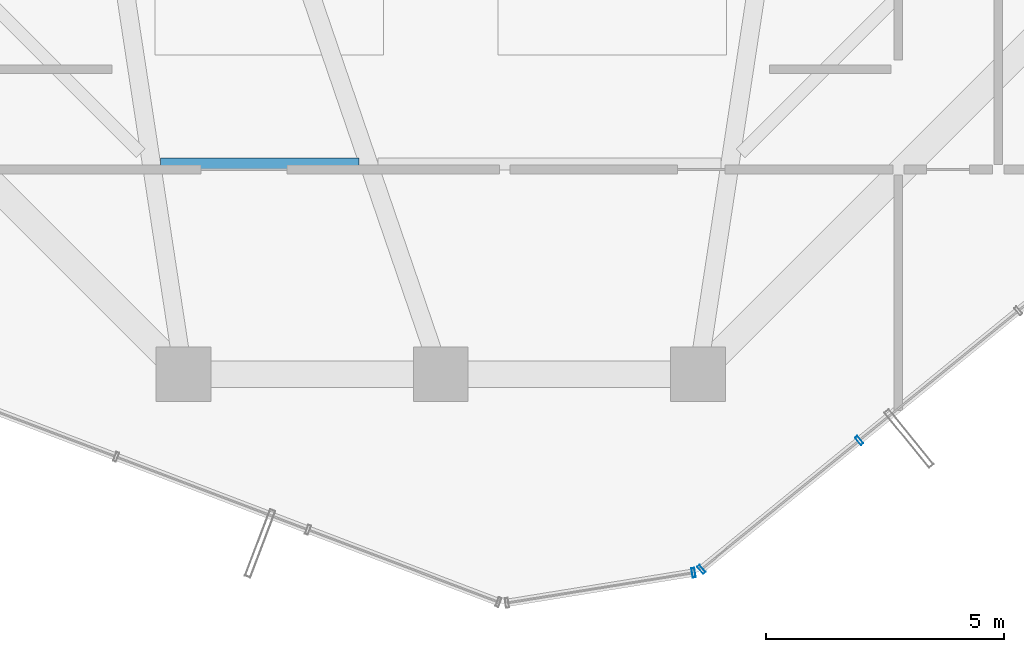
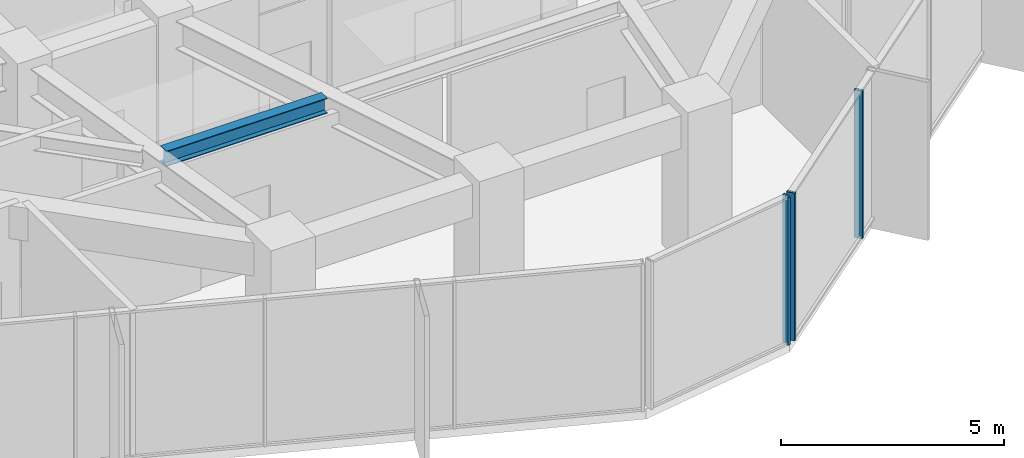
# One storey, part 6 of 26: 3 members, 1 beam, 2 elements without a shape of their own.
"""IFC4 building model written with IfcOpenShell, lengths in metres."""

from ifc_helpers import new_model, si_unit, direction, frame, origin, origin_2d, place, context, subcontext, project, spatial, hollow_rectangle, i_section, extrude, source, transform, mapped, material, layer, layer_set, material_profile, profile_set, type_object, element, aggregate, save


model = new_model("IFC4")

# Units and contexts
model_context = context("Model", 3, precision=1e-05, world=origin(), true_north=direction((0.0, 1.0)))
body_context = subcontext(model_context, "Body", "Model", "MODEL_VIEW")
ifc_project = project(units=[si_unit("LENGTHUNIT", "METRE"), si_unit("AREAUNIT", "SQUARE_METRE"), si_unit("VOLUMEUNIT", "CUBIC_METRE"), si_unit("PLANEANGLEUNIT", "RADIAN"), si_unit("MASSUNIT", "GRAM", prefix="KILO")], contexts=[model_context])

# Site, building, storey
site_placement = place(None, origin())
site = spatial("IfcSite", under=ifc_project, at=site_placement, CompositionType="ELEMENT")
building_placement = place(site_placement, origin())
building = spatial("IfcBuilding", under=site, at=building_placement, Name="Veraguas Prism Commons", CompositionType="ELEMENT")
storey_placement = place(building_placement, frame((0.0, 0.0, 158.75)))
storey = spatial("IfcBuildingStorey", under=building, at=storey_placement, Name="L45", CompositionType="ELEMENT", Elevation=158.75)

# Beam
ifc_material_1 = material(Name="Steel ASTM A992 Grade 50", Category="steel")
ifc_material_profile_1 = material_profile(ifc_material_1, i_section(OverallWidth=0.260986328125, OverallDepth=0.419921875, WebThickness=0.01171875, FlangeThickness=0.019287109375, at=origin_2d()), Name="W410X114")
ifc_profile_set_1 = profile_set([ifc_material_profile_1], Name="Steel ASTM A992 Grade 50")
beam_type = type_object("IfcBeamType", Name="Lower Floor Joist W410x114", PredefinedType="JOIST", material=ifc_profile_set_1)
beam_placement = place(storey_placement, frame((18.119140625, 12.216064453125, 3.840087890625), z_axis=(1.0, 0.0, 0.0), x_axis=(0.0, 1.0, 0.0)))
element("IfcBeam", 1, at=beam_placement, inside=storey, type_object=beam_type, Name="Composite Floor Joist L45-JS10", PredefinedType="JOIST", context=body_context, shape_type="SweptSolid", body=[
    extrude(i_section(OverallWidth=0.260986328125, OverallDepth=0.419921875, WebThickness=0.01171875, FlangeThickness=0.019287109375, at=origin_2d()), origin(), (0.0, 0.0, 1.0), 4.1689453125),
])

# Curtain wall, members
ifc_material_2 = material(Name="Anodised aluminium EN AW-6063 T6", Category="aluminium")
ifc_layer = layer(ifc_material_2, 0.199951171875, Name="Sky Lobby and Pool Acoustic Curtain Wall", Category="aluminium")
ifc_layer_set = layer_set([ifc_layer], Name="Anodised aluminium EN AW-6063 T6")
curtain_wall_type = type_object("IfcCurtainWallType", Name="Sky Lobby and Pool Acoustic Curtain Wall", PredefinedType="NOTDEFINED", material=ifc_layer_set)
curtain_wall_1_placement = place(storey_placement, origin())
curtain_wall_1 = element("IfcCurtainWall", 2, at=curtain_wall_1_placement, inside=storey, type_object=curtain_wall_type, Name="Tower Facade Curtain Wall L45-F5", PredefinedType="NOTDEFINED")
ifc_material_profile_2 = material_profile(ifc_material_2, hollow_rectangle(XDim=0.06494140625, YDim=0.199951171875, WallThickness=0.00390625, at=origin_2d()), Name="AL65X200X4")
ifc_profile_set_2 = profile_set([ifc_material_profile_2], Name="Anodised aluminium EN AW-6063 T6")
member_type = type_object("IfcMemberType", Name="Curtain Wall Mullion Heavy AL 65x200x4", PredefinedType="MULLION", material=ifc_profile_set_2)
shared_shape = source(origin(), body_context, "Body", "SweptSolid", [
    extrude(hollow_rectangle(XDim=0.06494140625, YDim=0.199951171875, WallThickness=0.00390625, at=origin_2d()), origin(), (0.0, 0.0, 1.0), 4.050048828125),
])
member_1_placement = place(storey_placement, frame((29.47119140625, 3.708740234375, 0.0), z_axis=(0.0, 0.0, 1.0), x_axis=(0.774943385604, 0.632030655197, 0.0)))
member_1 = element("IfcMember", 3, at=member_1_placement, type_object=member_type, Name="CW-SKY Mullion 1", PredefinedType="MULLION", context=body_context, shape_type="MappedRepresentation", body=[
    mapped(shared_shape, transform((0.0, 0.0, 0.0), scale=1.0)),
])
member_2_placement = place(storey_placement, frame((32.784912109375, 6.411376953125, 0.0), z_axis=(0.0, 0.0, 1.0), x_axis=(0.774943385604, 0.632030655197, 0.0)))
member_2 = element("IfcMember", 4, at=member_2_placement, type_object=member_type, Name="CW-SKY Mullion 2", PredefinedType="MULLION", context=body_context, shape_type="MappedRepresentation", body=[
    mapped(shared_shape, transform((0.0, 0.0, 0.0), scale=1.0)),
])
aggregate(curtain_wall_1, [member_1, member_2])

# Curtain wall, member
curtain_wall_2_placement = place(storey_placement, origin())
curtain_wall_2 = element("IfcCurtainWall", 5, at=curtain_wall_2_placement, inside=storey, type_object=curtain_wall_type, Name="Chamfer Curtain Wall L45-C5", PredefinedType="NOTDEFINED")
member_3_placement = place(storey_placement, frame((29.30810546875, 3.635498046875, 0.0), z_axis=(0.0, 0.0, 1.0), x_axis=(0.98713738123, 0.159874296177, 0.0)))
member_3 = element("IfcMember", 6, at=member_3_placement, type_object=member_type, Name="CW-SKY Mullion 2", PredefinedType="MULLION", context=body_context, shape_type="MappedRepresentation", body=[
    mapped(shared_shape, transform((0.0, 0.0, 0.0), scale=1.0)),
])
aggregate(curtain_wall_2, [member_3])

save(model, "model.ifc")
